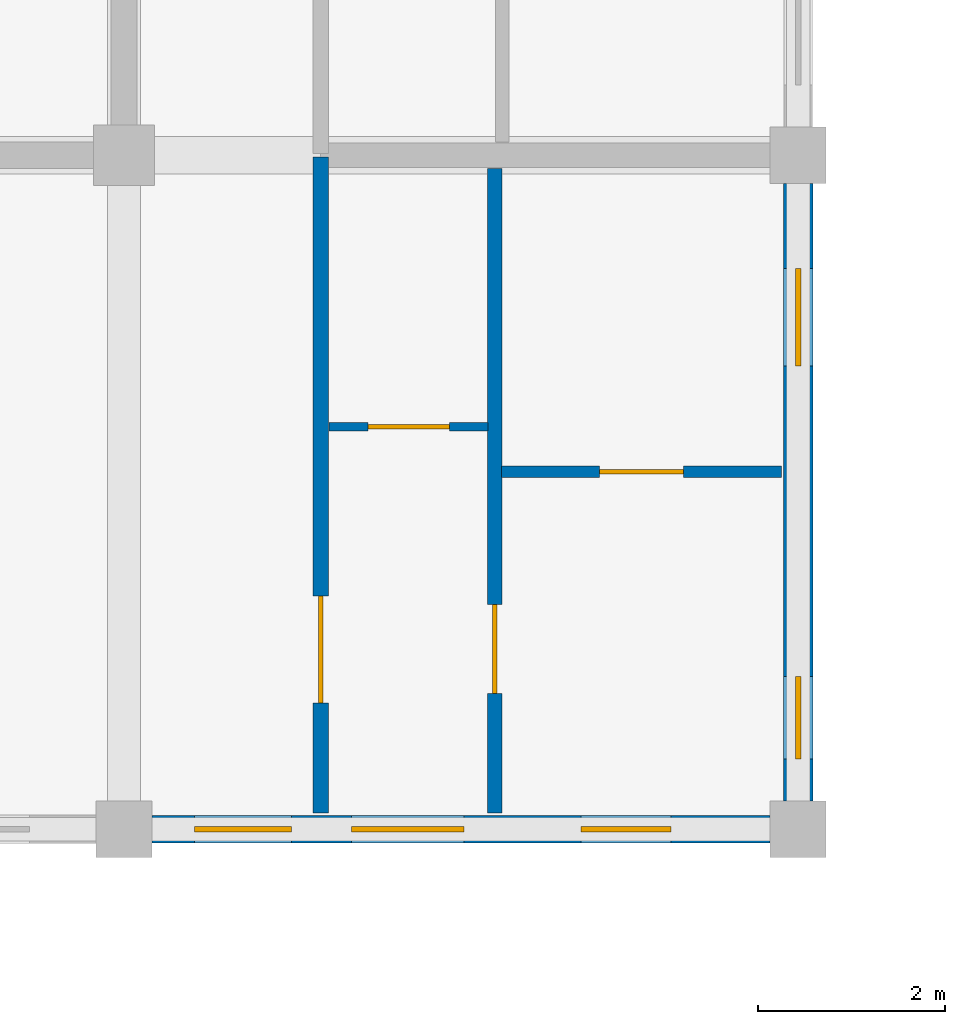
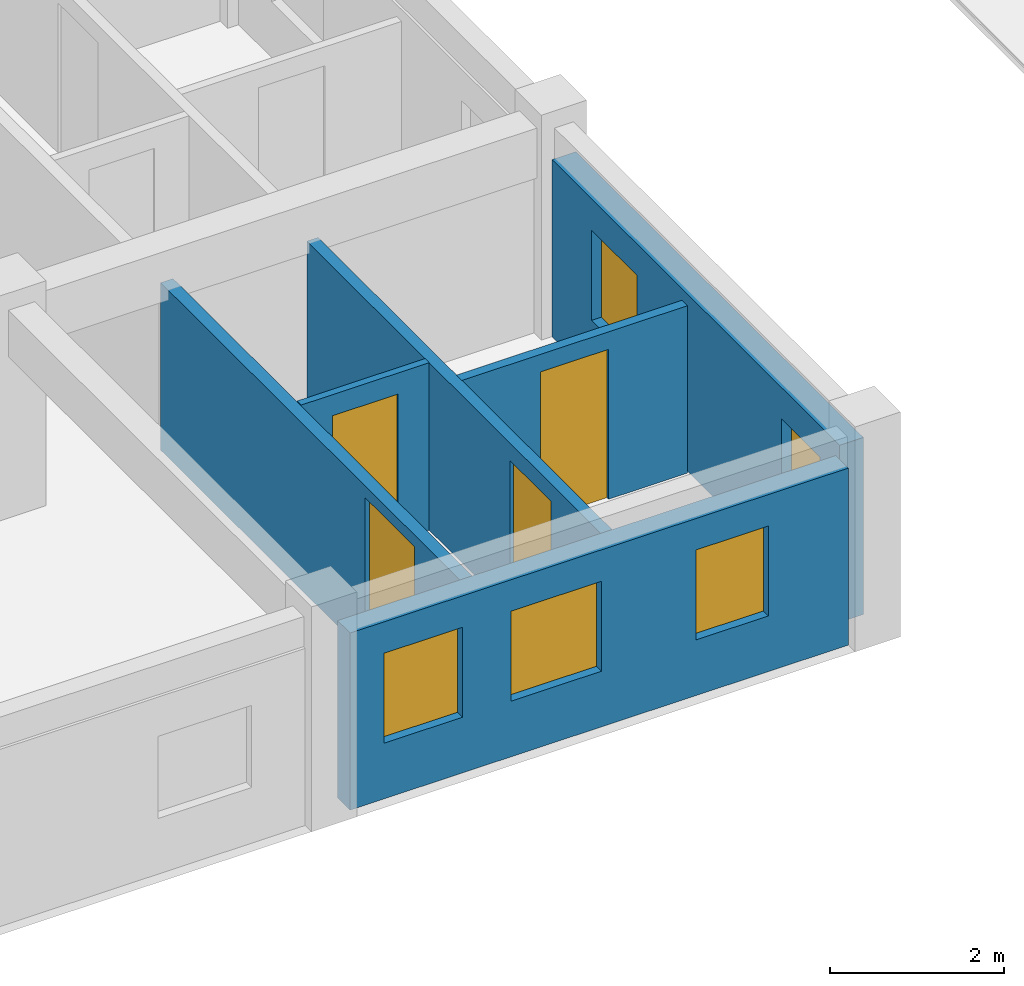
# One storey, part 20 of 50: 6 walls, 5 windows, 4 doors, 9 openings.
"""IFC4 building model written with IfcOpenShell, lengths in metres."""

from ifc_helpers import new_model, si_unit, direction, frame, frame_2d, origin, place, context, subcontext, project, spatial, rectangle, extrude, material, layer, layer_set, type_object, element, fill, save


model = new_model("IFC4")

# Units and contexts
model_context = context("Model", 3, precision=1e-05, world=origin(), true_north=direction((0.0, 1.0)))
body_context = subcontext(model_context, "Body", "Model", "MODEL_VIEW")
ifc_project = project(units=[si_unit("LENGTHUNIT", "METRE"), si_unit("AREAUNIT", "SQUARE_METRE"), si_unit("VOLUMEUNIT", "CUBIC_METRE"), si_unit("PLANEANGLEUNIT", "RADIAN"), si_unit("MASSUNIT", "GRAM", prefix="KILO"), si_unit("THERMODYNAMICTEMPERATUREUNIT", "KELVIN"), si_unit("POWERUNIT", "WATT")], contexts=[model_context])

# Site, building, storey
site_placement = place(None, origin())
site = spatial("IfcSite", under=ifc_project, at=site_placement, CompositionType="ELEMENT")
building_placement = place(site_placement, origin())
building = spatial("IfcBuilding", under=site, at=building_placement, Name="Tavuni Mirador Residences", CompositionType="ELEMENT")
storey_placement = place(building_placement, frame((0.0, 0.0, 4.5)))
storey = spatial("IfcBuildingStorey", under=building, at=storey_placement, Name="L01", CompositionType="ELEMENT", Elevation=4.5)

# Wall, opening, door
ifc_material_1 = material(Name="Precast concrete C40/50", Category="concrete")
ifc_layer_1 = layer(ifc_material_1, 0.1650390625, Name="Precast concrete C40/50", Category="concrete")
ifc_layer_set_1 = layer_set([ifc_layer_1], Name="Precast concrete C40/50")
wall_type_1 = type_object("IfcWallType", Name="WT-CORR165", PredefinedType="PARTITIONING", material=ifc_layer_set_1)
wall_1_placement = place(storey_placement, frame((20.10009765625, 64.97509765625, 0.0), z_axis=(0.0, 0.0, 1.0), x_axis=(0.0, 1.0, 0.0)))
wall_1 = element("IfcWall", 1, at=wall_1_placement, inside=storey, type_object=wall_type_1, Name="CORW-BLK-B-L01-0-00", PredefinedType="PARTITIONING", context=body_context, shape_type="SweptSolid", body=[
    extrude(rectangle(XDim=7.0048828125, YDim=0.1650390625, at=frame_2d((3.50244140625, 0.0))), origin(), (0.0, 0.0, 1.0), 2.344970703125),
])
opening_1_placement = place(wall_1_placement, frame((1.175048828125, 0.0, 0.0)))
opening_1 = element("IfcOpeningElement", 2, at=opening_1_placement, cuts=wall_1, Name="Opening D-20", PredefinedType="OPENING", context=body_context, shape_type="SweptSolid", body=[
    extrude(rectangle(XDim=1.139892578125, YDim=2.179931640625, at=frame_2d((0.56982421875, 1.08984375))), frame((0.0, 0.092529296875, 0.0), z_axis=(0.0, -1.0, 0.0), x_axis=(1.0, 0.0, 0.0)), (0.0, 0.0, 1.0), 0.18505859375),
])
ifc_material_2 = material(Name="Solid core iroko timber", Category="wood")
door_type_1 = type_object("IfcDoorType", Name="DT-FD60-1140", OperationType="NOTDEFINED", PredefinedType="DOOR", material=ifc_material_2)
door_1_placement = place(opening_1_placement, origin())
door_1 = element("IfcDoor", 3, at=door_1_placement, inside=storey, type_object=door_type_1, Name="DR-2537", OperationType="SINGLE_SWING_RIGHT", OverallHeight=2.179931640625, OverallWidth=1.139892578125, PredefinedType="DOOR", context=body_context, shape_type="SweptSolid", body=[
    extrude(rectangle(XDim=1.139892578125, YDim=2.179931640625, at=frame_2d((0.56982421875, 1.08984375))), frame((0.0, 0.02490234375, 0.0), z_axis=(0.0, -1.0, 0.0), x_axis=(1.0, 0.0, 0.0)), (0.0, 0.0, 1.0), 0.050048828125),
])
fill(opening_1, door_1)

# Wall, openings, windows
ifc_material_3 = material(Name="Sgraffito lime-rendered precast concrete C40/50", Category="concrete")
ifc_layer_2 = layer(ifc_material_3, 0.2900390625, Name="Sgraffito lime-rendered precast concrete C40/50", Category="concrete")
ifc_layer_set_2 = layer_set([ifc_layer_2], Name="Sgraffito lime-rendered precast concrete C40/50")
wall_type_2 = type_object("IfcWallType", Name="WT-EXT-PC290", PredefinedType="SOLIDWALL", material=ifc_layer_set_2)
wall_2_placement = place(storey_placement, frame((18.300048828125, 64.800048828125, 0.0), z_axis=(0.0, 0.0, 1.0), x_axis=(1.0, 0.0, 0.0)))
wall_2 = element("IfcWall", 4, at=wall_2_placement, inside=storey, type_object=wall_type_2, Name="EW-BLK-B-L01-S02", PredefinedType="SOLIDWALL", context=body_context, shape_type="SweptSolid", body=[
    extrude(rectangle(XDim=6.599853515625, YDim=0.2900390625, at=frame_2d((3.2998046875, 0.0))), origin(), (0.0, 0.0, 1.0), 2.47998046875),
])
opening_2_placement = place(wall_2_placement, frame((0.449951171875, 0.0, 0.780029296875)))
opening_2 = element("IfcOpeningElement", 5, at=opening_2_placement, cuts=wall_2, Name="Opening WN-11", PredefinedType="OPENING", context=body_context, shape_type="SweptSolid", body=[
    extrude(rectangle(XDim=1.0400390625, YDim=1.260009765625, at=frame_2d((0.52001953125, 0.6298828125))), frame((0.0, 0.155029296875, 0.0), z_axis=(0.0, -1.0, 0.0), x_axis=(1.0, 0.0, 0.0)), (0.0, 0.0, 1.0), 0.31005859375),
])
opening_3_placement = place(wall_2_placement, frame((2.1298828125, 0.0, 0.780029296875)))
opening_3 = element("IfcOpeningElement", 6, at=opening_3_placement, cuts=wall_2, Name="Opening WN-13", PredefinedType="OPENING", context=body_context, shape_type="SweptSolid", body=[
    extrude(rectangle(XDim=1.199951171875, YDim=1.260009765625, at=frame_2d((0.60009765625, 0.6298828125))), frame((0.0, 0.155029296875, 0.0), z_axis=(0.0, -1.0, 0.0), x_axis=(1.0, 0.0, 0.0)), (0.0, 0.0, 1.0), 0.31005859375),
])
opening_4_placement = place(wall_2_placement, frame((4.580078125, 0.0, 0.780029296875)))
opening_4 = element("IfcOpeningElement", 7, at=opening_4_placement, cuts=wall_2, Name="Opening WN-10", PredefinedType="OPENING", context=body_context, shape_type="SweptSolid", body=[
    extrude(rectangle(XDim=0.9599609375, YDim=1.260009765625, at=frame_2d((0.47998046875, 0.6298828125))), frame((0.0, 0.155029296875, 0.0), z_axis=(0.0, -1.0, 0.0), x_axis=(1.0, 0.0, 0.0)), (0.0, 0.0, 1.0), 0.31005859375),
])
ifc_material_4 = material(Name="Laminated solar-control glass", Category="glass")
window_type_1 = type_object("IfcWindowType", Name="WNT-10", PartitioningType="SINGLE_PANEL", PredefinedType="WINDOW", material=ifc_material_4)
window_1_placement = place(opening_4_placement, origin())
window_1 = element("IfcWindow", 8, at=window_1_placement, inside=storey, type_object=window_type_1, Name="WIN-0576", OverallHeight=1.260009765625, OverallWidth=0.9599609375, PartitioningType="SINGLE_PANEL", PredefinedType="WINDOW", context=body_context, shape_type="SweptSolid", body=[
    extrude(rectangle(XDim=0.9599609375, YDim=1.260009765625, at=frame_2d((0.47998046875, 0.6298828125))), frame((0.0, 0.030029296875, 0.0), z_axis=(0.0, -1.0, 0.0), x_axis=(1.0, 0.0, 0.0)), (0.0, 0.0, 1.0), 0.06005859375),
])
fill(opening_4, window_1)
window_type_2 = type_object("IfcWindowType", Name="WNT-11", PartitioningType="SINGLE_PANEL", PredefinedType="WINDOW", material=ifc_material_4)
window_2_placement = place(opening_2_placement, origin())
window_2 = element("IfcWindow", 9, at=window_2_placement, inside=storey, type_object=window_type_2, Name="WIN-0574", OverallHeight=1.260009765625, OverallWidth=1.0400390625, PartitioningType="SINGLE_PANEL", PredefinedType="WINDOW", context=body_context, shape_type="SweptSolid", body=[
    extrude(rectangle(XDim=1.0400390625, YDim=1.260009765625, at=frame_2d((0.52001953125, 0.6298828125))), frame((0.0, 0.030029296875, 0.0), z_axis=(0.0, -1.0, 0.0), x_axis=(1.0, 0.0, 0.0)), (0.0, 0.0, 1.0), 0.06005859375),
])
fill(opening_2, window_2)
window_type_3 = type_object("IfcWindowType", Name="WNT-13", PartitioningType="SINGLE_PANEL", PredefinedType="WINDOW", material=ifc_material_4)
window_3_placement = place(opening_3_placement, origin())
window_3 = element("IfcWindow", 10, at=window_3_placement, inside=storey, type_object=window_type_3, Name="WIN-0575", OverallHeight=1.260009765625, OverallWidth=1.199951171875, PartitioningType="SINGLE_PANEL", PredefinedType="WINDOW", context=body_context, shape_type="SweptSolid", body=[
    extrude(rectangle(XDim=1.199951171875, YDim=1.260009765625, at=frame_2d((0.60009765625, 0.6298828125))), frame((0.0, 0.030029296875, 0.0), z_axis=(0.0, -1.0, 0.0), x_axis=(1.0, 0.0, 0.0)), (0.0, 0.0, 1.0), 0.06005859375),
])
fill(opening_3, window_3)

ifc_layer_3 = layer(ifc_material_3, 0.31494140625, Name="Sgraffito lime-rendered precast concrete C40/50", Category="concrete")
ifc_layer_set_3 = layer_set([ifc_layer_3], Name="Sgraffito lime-rendered precast concrete C40/50")
wall_type_3 = type_object("IfcWallType", Name="WT-EXT-PC315", PredefinedType="SOLIDWALL", material=ifc_layer_set_3)
wall_3_placement = place(storey_placement, frame((25.199951171875, 65.10009765625, 0.0), z_axis=(0.0, 0.0, 1.0), x_axis=(0.0, 1.0, 0.0)))
wall_3 = element("IfcWall", 11, at=wall_3_placement, inside=storey, type_object=wall_type_3, Name="EW-BLK-B-L01-E00", PredefinedType="SOLIDWALL", context=body_context, shape_type="SweptSolid", body=[
    extrude(rectangle(XDim=6.599853515625, YDim=0.31494140625, at=frame_2d((3.2998046875, 0.0))), origin(), (0.0, 0.0, 1.0), 2.47998046875),
])
opening_5_placement = place(wall_3_placement, frame((0.449951171875, 0.0, 0.780029296875)))
opening_5 = element("IfcOpeningElement", 12, at=opening_5_placement, cuts=wall_3, Name="Opening WN-09", PredefinedType="OPENING", context=body_context, shape_type="SweptSolid", body=[
    extrude(rectangle(XDim=0.8798828125, YDim=1.260009765625, at=frame_2d((0.43994140625, 0.6298828125))), frame((0.0, 0.16748046875, 0.0), z_axis=(0.0, -1.0, 0.0), x_axis=(1.0, 0.0, 0.0)), (0.0, 0.0, 1.0), 0.3349609375),
])
opening_6_placement = place(wall_3_placement, frame((4.64990234375, 0.0, 0.780029296875)))
opening_6 = element("IfcOpeningElement", 13, at=opening_6_placement, cuts=wall_3, Name="Opening WN-11", PredefinedType="OPENING", context=body_context, shape_type="SweptSolid", body=[
    extrude(rectangle(XDim=1.0400390625, YDim=1.260009765625, at=frame_2d((0.52001953125, 0.6298828125))), frame((0.0, 0.16748046875, 0.0), z_axis=(0.0, -1.0, 0.0), x_axis=(1.0, 0.0, 0.0)), (0.0, 0.0, 1.0), 0.3349609375),
])
window_type_4 = type_object("IfcWindowType", Name="WNT-09", PartitioningType="SINGLE_PANEL", PredefinedType="WINDOW", material=ifc_material_4)
window_4_placement = place(opening_5_placement, origin())
window_4 = element("IfcWindow", 14, at=window_4_placement, inside=storey, type_object=window_type_4, Name="WIN-0577", OverallHeight=1.260009765625, OverallWidth=0.8798828125, PartitioningType="SINGLE_PANEL", PredefinedType="WINDOW", context=body_context, shape_type="SweptSolid", body=[
    extrude(rectangle(XDim=0.8798828125, YDim=1.260009765625, at=frame_2d((0.43994140625, 0.6298828125))), frame((0.0, 0.030029296875, 0.0), z_axis=(0.0, -1.0, 0.0), x_axis=(1.0, 0.0, 0.0)), (0.0, 0.0, 1.0), 0.06005859375),
])
fill(opening_5, window_4)
window_5_placement = place(opening_6_placement, origin())
window_5 = element("IfcWindow", 15, at=window_5_placement, inside=storey, type_object=window_type_2, Name="WIN-0578", OverallHeight=1.260009765625, OverallWidth=1.0400390625, PartitioningType="SINGLE_PANEL", PredefinedType="WINDOW", context=body_context, shape_type="SweptSolid", body=[
    extrude(rectangle(XDim=1.0400390625, YDim=1.260009765625, at=frame_2d((0.52001953125, 0.6298828125))), frame((0.0, 0.030029296875, 0.0), z_axis=(0.0, -1.0, 0.0), x_axis=(1.0, 0.0, 0.0)), (0.0, 0.0, 1.0), 0.06005859375),
])
fill(opening_6, window_5)

# Wall, opening, door
ifc_material_5 = material(Name="Acoustic gypsum and concrete block partition", Category="concrete")
ifc_layer_4 = layer(ifc_material_5, 0.094970703125, Name="Acoustic gypsum and concrete block partition", Category="concrete")
ifc_layer_set_4 = layer_set([ifc_layer_4], Name="Acoustic gypsum and concrete block partition")
wall_type_4 = type_object("IfcWallType", Name="WT-PART095", PredefinedType="PARTITIONING", material=ifc_layer_set_4)
wall_4_placement = place(storey_placement, frame((20.18994140625, 69.10009765625, 0.0), z_axis=(0.0, 0.0, 1.0), x_axis=(1.0, 0.0, 0.0)))
wall_4 = element("IfcWall", 16, at=wall_4_placement, inside=storey, type_object=wall_type_4, Name="PW-BLK-B-L01-E00-IN1", PredefinedType="PARTITIONING", context=body_context, shape_type="SweptSolid", body=[
    extrude(rectangle(XDim=1.699951171875, YDim=0.094970703125, at=frame_2d((0.85009765625, 0.0))), origin(), (0.0, 0.0, 1.0), 2.344970703125),
])
opening_7_placement = place(wall_4_placement, frame((0.4150390625, 0.0, 0.0)))
opening_7 = element("IfcOpeningElement", 17, at=opening_7_placement, cuts=wall_4, Name="Opening D-10", PredefinedType="OPENING", context=body_context, shape_type="SweptSolid", body=[
    extrude(rectangle(XDim=0.8701171875, YDim=2.050048828125, at=frame_2d((0.43505859375, 1.02490234375))), frame((0.0, 0.0576171875, 0.0), z_axis=(0.0, -1.0, 0.0), x_axis=(1.0, 0.0, 0.0)), (0.0, 0.0, 1.0), 0.114990234375),
])
door_type_2 = type_object("IfcDoorType", Name="DT-WC870", OperationType="NOTDEFINED", PredefinedType="DOOR", material=ifc_material_2)
door_2_placement = place(opening_7_placement, origin())
door_2 = element("IfcDoor", 18, at=door_2_placement, inside=storey, type_object=door_type_2, Name="DR-3450", OperationType="SINGLE_SWING_RIGHT", OverallHeight=2.050048828125, OverallWidth=0.8701171875, PredefinedType="DOOR", context=body_context, shape_type="SweptSolid", body=[
    extrude(rectangle(XDim=0.8701171875, YDim=2.050048828125, at=frame_2d((0.43505859375, 1.02490234375))), frame((0.0, 0.02490234375, 0.0), z_axis=(0.0, -1.0, 0.0), x_axis=(1.0, 0.0, 0.0)), (0.0, 0.0, 1.0), 0.050048828125),
])
fill(opening_7, door_2)

ifc_layer_5 = layer(ifc_material_5, 0.125, Name="Acoustic gypsum and concrete block partition", Category="concrete")
ifc_layer_set_5 = layer_set([ifc_layer_5], Name="Acoustic gypsum and concrete block partition")
wall_type_5 = type_object("IfcWallType", Name="WT-PART125", PredefinedType="PARTITIONING", material=ifc_layer_set_5)
wall_5_placement = place(storey_placement, frame((22.030029296875, 68.6201171875, 0.0), z_axis=(0.0, 0.0, 1.0), x_axis=(1.0, 0.0, 0.0)))
wall_5 = element("IfcWall", 19, at=wall_5_placement, inside=storey, type_object=wall_type_5, Name="PW-BLK-B-L01-E00-OUT", PredefinedType="PARTITIONING", context=body_context, shape_type="SweptSolid", body=[
    extrude(rectangle(XDim=2.994873046875, YDim=0.125, at=frame_2d((1.49755859375, 0.0))), origin(), (0.0, 0.0, 1.0), 2.344970703125),
])
opening_8_placement = place(wall_5_placement, frame((1.047607421875, 0.0, 0.0)))
opening_8 = element("IfcOpeningElement", 20, at=opening_8_placement, cuts=wall_5, Name="Opening D-07", PredefinedType="OPENING", context=body_context, shape_type="SweptSolid", body=[
    extrude(rectangle(XDim=0.89990234375, YDim=2.10009765625, at=frame_2d((0.449951171875, 1.050048828125))), frame((0.0, 0.072509765625, 0.0), z_axis=(0.0, -1.0, 0.0), x_axis=(1.0, 0.0, 0.0)), (0.0, 0.0, 1.0), 0.14501953125),
])
door_type_3 = type_object("IfcDoorType", Name="DT-BED900", OperationType="NOTDEFINED", PredefinedType="DOOR", material=ifc_material_2)
door_3_placement = place(opening_8_placement, origin())
door_3 = element("IfcDoor", 21, at=door_3_placement, inside=storey, type_object=door_type_3, Name="DR-3449", OperationType="SINGLE_SWING_LEFT", OverallHeight=2.10009765625, OverallWidth=0.89990234375, PredefinedType="DOOR", context=body_context, shape_type="SweptSolid", body=[
    extrude(rectangle(XDim=0.89990234375, YDim=2.10009765625, at=frame_2d((0.449951171875, 1.050048828125))), frame((0.0, 0.02490234375, 0.0), z_axis=(0.0, -1.0, 0.0), x_axis=(1.0, 0.0, 0.0)), (0.0, 0.0, 1.0), 0.050048828125),
])
fill(opening_8, door_3)

ifc_layer_6 = layer(ifc_material_5, 0.14990234375, Name="Acoustic gypsum and concrete block partition", Category="concrete")
ifc_layer_set_6 = layer_set([ifc_layer_6], Name="Acoustic gypsum and concrete block partition")
wall_type_6 = type_object("IfcWallType", Name="WT-PART150", PredefinedType="PARTITIONING", material=ifc_layer_set_6)
wall_6_placement = place(storey_placement, frame((21.9599609375, 64.97509765625, 0.0), z_axis=(0.0, 0.0, 1.0), x_axis=(0.0, 1.0, 0.0)))
wall_6 = element("IfcWall", 22, at=wall_6_placement, inside=storey, type_object=wall_type_6, Name="PW-BLK-B-L01-E00-MID", PredefinedType="PARTITIONING", context=body_context, shape_type="SweptSolid", body=[
    extrude(rectangle(XDim=6.885009765625, YDim=0.14990234375, at=frame_2d((3.4423828125, 0.0))), origin(), (0.0, 0.0, 1.0), 2.344970703125),
])
opening_9_placement = place(wall_6_placement, frame((1.27490234375, 0.0, 0.0)))
opening_9 = element("IfcOpeningElement", 23, at=opening_9_placement, cuts=wall_6, Name="Opening D-05", PredefinedType="OPENING", context=body_context, shape_type="SweptSolid", body=[
    extrude(rectangle(XDim=0.949951171875, YDim=2.10009765625, at=frame_2d((0.47509765625, 1.050048828125))), frame((0.0, 0.0849609375, 0.0), z_axis=(0.0, -1.0, 0.0), x_axis=(1.0, 0.0, 0.0)), (0.0, 0.0, 1.0), 0.169921875),
])
door_type_4 = type_object("IfcDoorType", Name="DT-INT950", OperationType="NOTDEFINED", PredefinedType="DOOR", material=ifc_material_2)
door_4_placement = place(opening_9_placement, origin())
door_4 = element("IfcDoor", 24, at=door_4_placement, inside=storey, type_object=door_type_4, Name="DR-3451", OperationType="SINGLE_SWING_LEFT", OverallHeight=2.10009765625, OverallWidth=0.949951171875, PredefinedType="DOOR", context=body_context, shape_type="SweptSolid", body=[
    extrude(rectangle(XDim=0.949951171875, YDim=2.10009765625, at=frame_2d((0.47509765625, 1.050048828125))), frame((0.0, 0.02490234375, 0.0), z_axis=(0.0, -1.0, 0.0), x_axis=(1.0, 0.0, 0.0)), (0.0, 0.0, 1.0), 0.050048828125),
])
fill(opening_9, door_4)

save(model, "model.ifc")
